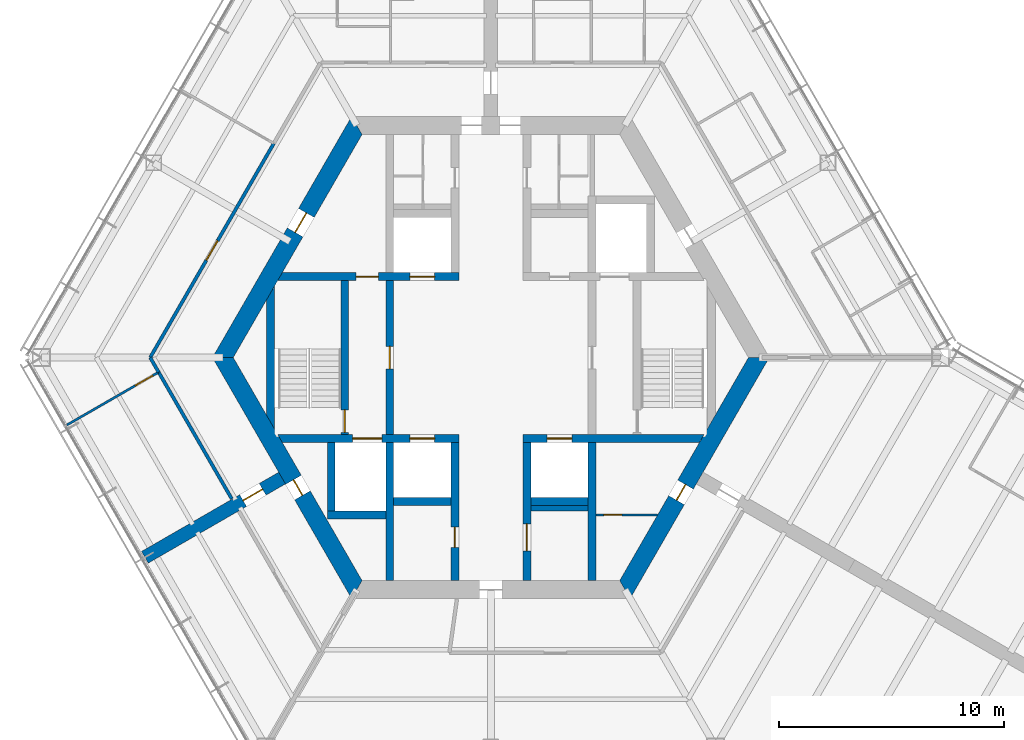
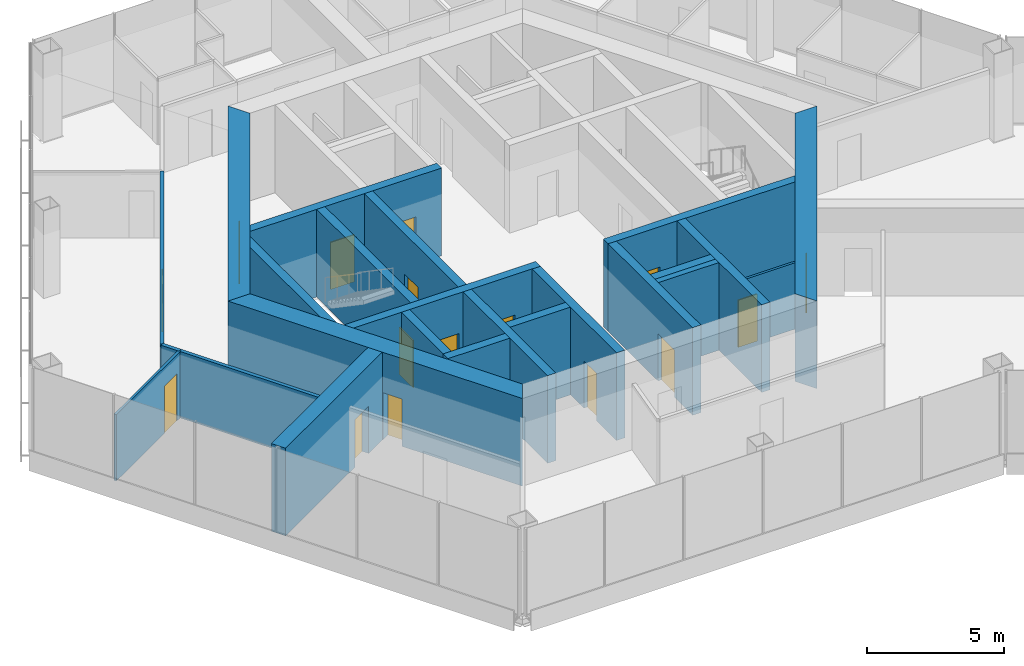
# One storey, part 10 of 14: 24 walls, 16 doors, 16 openings.
"""IFC4 building model written with IfcOpenShell, lengths in metres."""

from ifc_helpers import new_model, si_unit, direction, frame, frame_2d, origin, place, context, subcontext, project, spatial, polyline, rectangle, outline, extrude, material, layer, layer_set, type_object, element, fill, save


model = new_model("IFC4")

# Units and contexts
model_context = context("Model", 3, precision=1e-05, world=origin(), true_north=direction((0.0, 1.0)))
body_context = subcontext(model_context, "Body", "Model", "MODEL_VIEW")
ifc_project = project(units=[si_unit("LENGTHUNIT", "METRE"), si_unit("AREAUNIT", "SQUARE_METRE"), si_unit("VOLUMEUNIT", "CUBIC_METRE"), si_unit("PLANEANGLEUNIT", "RADIAN"), si_unit("MASSUNIT", "GRAM", prefix="KILO")], contexts=[model_context])

# Site, building, storey
site_placement = place(None, origin())
site = spatial("IfcSite", under=ifc_project, at=site_placement, CompositionType="ELEMENT")
building_placement = place(site_placement, origin())
building = spatial("IfcBuilding", under=site, at=building_placement, Name="Kasaneha Research Tower", CompositionType="ELEMENT")
storey_placement = place(building_placement, frame((0.0, 0.0, 216.699951171875)))
storey = spatial("IfcBuildingStorey", under=building, at=storey_placement, Name="L54", CompositionType="ELEMENT", Elevation=216.699951171875)

# Wall, openings, doors
ifc_material_1 = material(Name="Concrete Fc60", Category="concrete")
ifc_layer_1 = layer(ifc_material_1, 0.35009765625)
ifc_layer_set_1 = layer_set([ifc_layer_1], Name="Core internal wall 350 Fc60")
wall_type_1 = type_object("IfcWallType", Name="Core internal wall 350 Fc60", PredefinedType="SHEAR", material=ifc_layer_set_1)
wall_1_placement = place(storey_placement, frame((-9.3818359375, 3.60009765625, 0.0), z_axis=(0.0, 0.0, 1.0), x_axis=(1.0, 0.0, 0.0)))
wall_1 = element("IfcWall", 1, at=wall_1_placement, inside=storey, type_object=wall_type_1, Name="Core wall W1W L54", PredefinedType="SHEAR", context=body_context, shape_type="SweptSolid", body=[
    extrude(outline(polyline([(-0.10107421875, -0.175048828125), (3.3818359375, -0.175048828125), (4.3818359375, -0.175048828125), (5.781982421875, -0.175048828125), (6.882080078125, -0.175048828125), (7.956787109375, -0.175048828125), (7.956787109375, 0.175048828125), (6.882080078125, 0.175048828125), (5.781982421875, 0.175048828125), (4.3818359375, 0.175048828125), (3.3818359375, 0.175048828125), (0.10107421875, 0.175048828125), (-0.10107421875, -0.175048828125)])), origin(), (0.0, 0.0, 1.0), 3.900146484375),
])
opening_1_placement = place(wall_1_placement, frame((3.3818359375, 0.0, 0.0)))
opening_1 = element("IfcOpeningElement", 2, at=opening_1_placement, cuts=wall_1, Name="Opening L54-D12", PredefinedType="OPENING", context=body_context, shape_type="SweptSolid", body=[
    extrude(rectangle(XDim=1.0, YDim=2.10009765625, at=frame_2d((0.5, 1.050048828125))), frame((0.0, 0.18505859375, 0.0), z_axis=(0.0, -1.0, 0.0), x_axis=(1.0, 0.0, 0.0)), (0.0, 0.0, 1.0), 0.3701171875),
])
opening_2_placement = place(wall_1_placement, frame((5.781982421875, 0.0, 0.0)))
opening_2 = element("IfcOpeningElement", 3, at=opening_2_placement, cuts=wall_1, Name="Opening LD-LH2-L54", PredefinedType="OPENING", context=body_context, shape_type="SweptSolid", body=[
    extrude(rectangle(XDim=1.10009765625, YDim=2.10009765625, at=frame_2d((0.550048828125, 1.050048828125))), frame((0.0, 0.18505859375, 0.0), z_axis=(0.0, -1.0, 0.0), x_axis=(1.0, 0.0, 0.0)), (0.0, 0.0, 1.0), 0.3701171875),
])
ifc_material_2 = material(Name="Steel", Category="steel")
door_type_1 = type_object("IfcDoorType", Name="Lift landing door 1100x2100", OperationType="DOUBLE_DOOR_SLIDING", PredefinedType="DOOR", material=ifc_material_2)
door_1_placement = place(opening_2_placement, origin())
door_1 = element("IfcDoor", 4, at=door_1_placement, inside=storey, type_object=door_type_1, Name="Landing door LH2 LD-LH2-L54", OperationType="DOUBLE_DOOR_SLIDING", OverallHeight=2.10009765625, OverallWidth=1.10009765625, PredefinedType="DOOR", context=body_context, shape_type="SweptSolid", body=[
    extrude(rectangle(XDim=1.10009765625, YDim=2.10009765625, at=frame_2d((0.550048828125, 1.050048828125))), frame((0.0, 0.02490234375, 0.0), z_axis=(0.0, -1.0, 0.0), x_axis=(1.0, 0.0, 0.0)), (0.0, 0.0, 1.0), 0.050048828125),
])
fill(opening_2, door_1)
ifc_material_3 = material(Name="Steel", Category="steel")
door_type_2 = type_object("IfcDoorType", Name="Specified fire door FD60 1000x2100", OperationType="NOTDEFINED", PredefinedType="DOOR", material=ifc_material_3)
door_2_placement = place(opening_1_placement, origin())
door_2 = element("IfcDoor", 5, at=door_2_placement, inside=storey, type_object=door_type_2, Name="Vestibule to lobby door L54-D12", OperationType="SINGLE_SWING_LEFT", OverallHeight=2.10009765625, OverallWidth=1.0, PredefinedType="DOOR", context=body_context, shape_type="SweptSolid", body=[
    extrude(rectangle(XDim=1.0, YDim=2.10009765625, at=frame_2d((0.5, 1.050048828125))), frame((0.0, 0.02490234375, 0.0), z_axis=(0.0, -1.0, 0.0), x_axis=(1.0, 0.0, 0.0)), (0.0, 0.0, 1.0), 0.050048828125),
])
fill(opening_1, door_2)

wall_2_placement = place(storey_placement, frame((-9.3818359375, -3.60009765625, 0.0), z_axis=(0.0, 0.0, 1.0), x_axis=(1.0, 0.0, 0.0)))
wall_2 = element("IfcWall", 6, at=wall_2_placement, inside=storey, type_object=wall_type_1, Name="Core wall W2W L54", PredefinedType="SHEAR", context=body_context, shape_type="SweptSolid", body=[
    extrude(outline(polyline([(0.10107421875, -0.175048828125), (3.23193359375, -0.175048828125), (4.531982421875, -0.175048828125), (5.781982421875, -0.175048828125), (6.882080078125, -0.175048828125), (7.956787109375, -0.175048828125), (7.956787109375, 0.175048828125), (6.882080078125, 0.175048828125), (5.781982421875, 0.175048828125), (4.531982421875, 0.175048828125), (3.23193359375, 0.175048828125), (-0.10107421875, 0.175048828125), (0.10107421875, -0.175048828125)])), origin(), (0.0, 0.0, 1.0), 3.900146484375),
])
opening_3_placement = place(wall_2_placement, frame((5.781982421875, 0.0, 0.0)))
opening_3 = element("IfcOpeningElement", 7, at=opening_3_placement, cuts=wall_2, Name="Opening LD-LH1-L54", PredefinedType="OPENING", context=body_context, shape_type="SweptSolid", body=[
    extrude(rectangle(XDim=1.10009765625, YDim=2.10009765625, at=frame_2d((0.550048828125, 1.050048828125))), frame((0.0, 0.18505859375, 0.0), z_axis=(0.0, -1.0, 0.0), x_axis=(1.0, 0.0, 0.0)), (0.0, 0.0, 1.0), 0.3701171875),
])
opening_4_placement = place(wall_2_placement, frame((3.23193359375, 0.0, 0.0)))
opening_4 = element("IfcOpeningElement", 8, at=opening_4_placement, cuts=wall_2, Name="Opening LD-FL2-L54", PredefinedType="OPENING", context=body_context, shape_type="SweptSolid", body=[
    extrude(rectangle(XDim=1.300048828125, YDim=2.10009765625, at=frame_2d((0.64990234375, 1.050048828125))), frame((0.0, 0.18505859375, 0.0), z_axis=(0.0, -1.0, 0.0), x_axis=(1.0, 0.0, 0.0)), (0.0, 0.0, 1.0), 0.3701171875),
])
door_3_placement = place(opening_3_placement, origin())
door_3 = element("IfcDoor", 9, at=door_3_placement, inside=storey, type_object=door_type_1, Name="Landing door LH1 LD-LH1-L54", OperationType="DOUBLE_DOOR_SLIDING", OverallHeight=2.10009765625, OverallWidth=1.10009765625, PredefinedType="DOOR", context=body_context, shape_type="SweptSolid", body=[
    extrude(rectangle(XDim=1.10009765625, YDim=2.10009765625, at=frame_2d((0.550048828125, 1.050048828125))), frame((0.0, 0.02490234375, 0.0), z_axis=(0.0, -1.0, 0.0), x_axis=(1.0, 0.0, 0.0)), (0.0, 0.0, 1.0), 0.050048828125),
])
fill(opening_3, door_3)
ifc_material_4 = material(Name="Steel", Category="steel")
door_type_3 = type_object("IfcDoorType", Name="Lift landing door 1300x2100", OperationType="DOUBLE_DOOR_SLIDING", PredefinedType="DOOR", material=ifc_material_4)
door_4_placement = place(opening_4_placement, origin())
door_4 = element("IfcDoor", 10, at=door_4_placement, inside=storey, type_object=door_type_3, Name="Landing door FL2 LD-FL2-L54", OperationType="DOUBLE_DOOR_SLIDING", OverallHeight=2.10009765625, OverallWidth=1.300048828125, PredefinedType="DOOR", context=body_context, shape_type="SweptSolid", body=[
    extrude(rectangle(XDim=1.300048828125, YDim=2.10009765625, at=frame_2d((0.64990234375, 1.050048828125))), frame((0.0, 0.02490234375, 0.0), z_axis=(0.0, -1.0, 0.0), x_axis=(1.0, 0.0, 0.0)), (0.0, 0.0, 1.0), 0.050048828125),
])
fill(opening_4, door_4)

# Wall, opening, door
wall_3_placement = place(storey_placement, frame((1.425048828125, -3.60009765625, 0.0), z_axis=(0.0, 0.0, 1.0), x_axis=(1.0, 0.0, 0.0)))
wall_3 = element("IfcWall", 11, at=wall_3_placement, inside=storey, type_object=wall_type_1, Name="Core wall W2E L54", PredefinedType="SHEAR", context=body_context, shape_type="SweptSolid", body=[
    extrude(outline(polyline([(0.0, -0.175048828125), (1.074951171875, -0.175048828125), (2.175048828125, -0.175048828125), (7.855712890625, -0.175048828125), (8.057861328125, 0.175048828125), (2.175048828125, 0.175048828125), (1.074951171875, 0.175048828125), (0.0, 0.175048828125), (0.0, -0.175048828125)])), origin(), (0.0, 0.0, 1.0), 3.900146484375),
])
opening_5_placement = place(wall_3_placement, frame((1.074951171875, 0.0, 0.0)))
opening_5 = element("IfcOpeningElement", 12, at=opening_5_placement, cuts=wall_3, Name="Opening LD-LH3-L54", PredefinedType="OPENING", context=body_context, shape_type="SweptSolid", body=[
    extrude(rectangle(XDim=1.10009765625, YDim=2.10009765625, at=frame_2d((0.550048828125, 1.050048828125))), frame((0.0, 0.18505859375, 0.0), z_axis=(0.0, -1.0, 0.0), x_axis=(1.0, 0.0, 0.0)), (0.0, 0.0, 1.0), 0.3701171875),
])
door_5_placement = place(opening_5_placement, origin())
door_5 = element("IfcDoor", 13, at=door_5_placement, inside=storey, type_object=door_type_1, Name="Landing door LH3 LD-LH3-L54", OperationType="DOUBLE_DOOR_SLIDING", OverallHeight=2.10009765625, OverallWidth=1.10009765625, PredefinedType="DOOR", context=body_context, shape_type="SweptSolid", body=[
    extrude(rectangle(XDim=1.10009765625, YDim=2.10009765625, at=frame_2d((0.550048828125, 1.050048828125))), frame((0.0, 0.02490234375, 0.0), z_axis=(0.0, -1.0, 0.0), x_axis=(1.0, 0.0, 0.0)), (0.0, 0.0, 1.0), 0.050048828125),
])
fill(opening_5, door_5)

wall_4_placement = place(storey_placement, frame((-1.60009765625, -3.77490234375, 0.0), z_axis=(0.0, 0.0, 1.0), x_axis=(0.0, -1.0, 0.0)))
wall_4 = element("IfcWall", 14, at=wall_4_placement, inside=storey, type_object=wall_type_1, Name="Core wall CSW L54", PredefinedType="SHEAR", context=body_context, shape_type="SweptSolid", body=[
    extrude(rectangle(XDim=6.150146484375, YDim=0.35009765625, at=frame_2d((3.0751953125, 0.0))), origin(), (0.0, 0.0, 1.0), 3.900146484375),
])
opening_6_placement = place(wall_4_placement, frame((3.77490234375, 0.0, 0.0)))
opening_6 = element("IfcOpeningElement", 15, at=opening_6_placement, cuts=wall_4, Name="Opening L54-D16", PredefinedType="OPENING", context=body_context, shape_type="SweptSolid", body=[
    extrude(rectangle(XDim=0.89990234375, YDim=2.10009765625, at=frame_2d((0.449951171875, 1.050048828125))), frame((0.0, 0.18505859375, 0.0), z_axis=(0.0, -1.0, 0.0), x_axis=(1.0, 0.0, 0.0)), (0.0, 0.0, 1.0), 0.3701171875),
])
ifc_material_5 = material(Name="Steel", Category="steel")
door_type_4 = type_object("IfcDoorType", Name="Riser access door FD60 900x2100", OperationType="NOTDEFINED", PredefinedType="DOOR", material=ifc_material_5)
door_6_placement = place(opening_6_placement, origin())
door_6 = element("IfcDoor", 16, at=door_6_placement, inside=storey, type_object=door_type_4, Name="Electrical riser door L54-D16", OperationType="SINGLE_SWING_LEFT", OverallHeight=2.10009765625, OverallWidth=0.89990234375, PredefinedType="DOOR", context=body_context, shape_type="SweptSolid", body=[
    extrude(rectangle(XDim=0.89990234375, YDim=2.10009765625, at=frame_2d((0.449951171875, 1.050048828125))), frame((0.0, 0.02490234375, 0.0), z_axis=(0.0, -1.0, 0.0), x_axis=(1.0, 0.0, 0.0)), (0.0, 0.0, 1.0), 0.050048828125),
])
fill(opening_6, door_6)

wall_5_placement = place(storey_placement, frame((1.60009765625, -3.77490234375, 0.0), z_axis=(0.0, 0.0, 1.0), x_axis=(0.0, -1.0, 0.0)))
wall_5 = element("IfcWall", 17, at=wall_5_placement, inside=storey, type_object=wall_type_1, Name="Core wall CSE L54", PredefinedType="SHEAR", context=body_context, shape_type="SweptSolid", body=[
    extrude(rectangle(XDim=6.150146484375, YDim=0.35009765625, at=frame_2d((3.0751953125, 0.0))), origin(), (0.0, 0.0, 1.0), 3.900146484375),
])
opening_7_placement = place(wall_5_placement, frame((3.625, 0.0, 0.0)))
opening_7 = element("IfcOpeningElement", 18, at=opening_7_placement, cuts=wall_5, Name="Opening L54-D15", PredefinedType="OPENING", context=body_context, shape_type="SweptSolid", body=[
    extrude(rectangle(XDim=1.199951171875, YDim=2.10009765625, at=frame_2d((0.60009765625, 1.050048828125))), frame((0.0, 0.18505859375, 0.0), z_axis=(0.0, -1.0, 0.0), x_axis=(1.0, 0.0, 0.0)), (0.0, 0.0, 1.0), 0.3701171875),
])
ifc_material_6 = material(Name="Steel", Category="steel")
door_type_5 = type_object("IfcDoorType", Name="Accessible toilet sliding door FD20 1200x2100", OperationType="SLIDING_TO_LEFT", PredefinedType="DOOR", material=ifc_material_6)
door_7_placement = place(opening_7_placement, origin())
door_7 = element("IfcDoor", 19, at=door_7_placement, inside=storey, type_object=door_type_5, Name="Accessible WC door L54-D15", OperationType="SLIDING_TO_LEFT", OverallHeight=2.10009765625, OverallWidth=1.199951171875, PredefinedType="DOOR", context=body_context, shape_type="SweptSolid", body=[
    extrude(rectangle(XDim=1.199951171875, YDim=2.10009765625, at=frame_2d((0.60009765625, 1.050048828125))), frame((0.0, 0.02490234375, 0.0), z_axis=(0.0, -1.0, 0.0), x_axis=(1.0, 0.0, 0.0)), (0.0, 0.0, 1.0), 0.050048828125),
])
fill(opening_7, door_7)

wall_6_placement = place(storey_placement, frame((-4.5, -3.425048828125, 0.0), z_axis=(0.0, 0.0, 1.0), x_axis=(0.0, 1.0, 0.0)))
wall_6 = element("IfcWall", 20, at=wall_6_placement, inside=storey, type_object=wall_type_1, Name="Core wall LBW L54", PredefinedType="SHEAR", context=body_context, shape_type="SweptSolid", body=[
    extrude(rectangle(XDim=6.85009765625, YDim=0.35009765625, at=frame_2d((3.425048828125, 0.0))), origin(), (0.0, 0.0, 1.0), 3.900146484375),
])
opening_8_placement = place(wall_6_placement, frame((2.925048828125, 0.0, 0.0)))
opening_8 = element("IfcOpeningElement", 21, at=opening_8_placement, cuts=wall_6, Name="Opening L54-D09", PredefinedType="OPENING", context=body_context, shape_type="SweptSolid", body=[
    extrude(rectangle(XDim=1.0, YDim=2.10009765625, at=frame_2d((0.5, 1.050048828125))), frame((0.0, 0.18505859375, 0.0), z_axis=(0.0, -1.0, 0.0), x_axis=(1.0, 0.0, 0.0)), (0.0, 0.0, 1.0), 0.3701171875),
])
door_8_placement = place(opening_8_placement, origin())
door_8 = element("IfcDoor", 22, at=door_8_placement, inside=storey, type_object=door_type_2, Name="Lift lobby door west L54-D09", OperationType="SINGLE_SWING_LEFT", OverallHeight=2.10009765625, OverallWidth=1.0, PredefinedType="DOOR", context=body_context, shape_type="SweptSolid", body=[
    extrude(rectangle(XDim=1.0, YDim=2.10009765625, at=frame_2d((0.5, 1.050048828125))), frame((0.0, 0.02490234375, 0.0), z_axis=(0.0, -1.0, 0.0), x_axis=(1.0, 0.0, 0.0)), (0.0, 0.0, 1.0), 0.050048828125),
])
fill(opening_8, door_8)

wall_7_placement = place(storey_placement, frame((-6.5, -3.425048828125, 0.0), z_axis=(0.0, 0.0, 1.0), x_axis=(0.0, 1.0, 0.0)))
wall_7 = element("IfcWall", 23, at=wall_7_placement, inside=storey, type_object=wall_type_1, Name="Core wall ANW L54", PredefinedType="SHEAR", context=body_context, shape_type="SweptSolid", body=[
    extrude(rectangle(XDim=6.85009765625, YDim=0.35009765625, at=frame_2d((3.425048828125, 0.0))), origin(), (0.0, 0.0, 1.0), 3.900146484375),
])
opening_9_placement = place(wall_7_placement, frame((0.10009765625, 0.0, 0.0)))
opening_9 = element("IfcOpeningElement", 24, at=opening_9_placement, cuts=wall_7, Name="Opening L54-D11", PredefinedType="OPENING", context=body_context, shape_type="SweptSolid", body=[
    extrude(rectangle(XDim=1.0, YDim=2.10009765625, at=frame_2d((0.5, 1.050048828125))), frame((0.0, 0.18505859375, 0.0), z_axis=(0.0, -1.0, 0.0), x_axis=(1.0, 0.0, 0.0)), (0.0, 0.0, 1.0), 0.3701171875),
])
door_9_placement = place(opening_9_placement, origin())
door_9 = element("IfcDoor", 25, at=door_9_placement, inside=storey, type_object=door_type_2, Name="Stair 2 door L54-D11", OperationType="SINGLE_SWING_LEFT", OverallHeight=2.10009765625, OverallWidth=1.0, PredefinedType="DOOR", context=body_context, shape_type="SweptSolid", body=[
    extrude(rectangle(XDim=1.0, YDim=2.10009765625, at=frame_2d((0.5, 1.050048828125))), frame((0.0, 0.02490234375, 0.0), z_axis=(0.0, -1.0, 0.0), x_axis=(1.0, 0.0, 0.0)), (0.0, 0.0, 1.0), 0.050048828125),
])
fill(opening_9, door_9)

# Walls
for number, where, z_axis, x_axis, name in (
    (26, (-4.5, -3.77490234375, 0.0), (0.0, 0.0, 1.0), (0.0, -1.0, 0.0), "Core wall SSW L54"),
    (27, (4.5, -3.77490234375, 0.0), (0.0, 0.0, 1.0), (0.0, -1.0, 0.0), "Core wall SSE L54"),
):
    element("IfcWall", number, at=place(storey_placement, frame(where, z_axis=z_axis, x_axis=x_axis)), inside=storey, type_object=wall_type_1, Name=name, PredefinedType="SHEAR", context=body_context, shape_type="SweptSolid", body=[
        extrude(rectangle(XDim=6.150146484375, YDim=0.35009765625, at=frame_2d((3.0751953125, 0.0))), origin(), (0.0, 0.0, 1.0), 3.900146484375),
    ])
for number, where, z_axis, x_axis, name in (
    (28, (-4.324951171875, -6.39990234375, 0.0), (0.0, 0.0, 1.0), (1.0, 0.0, 0.0), "Core wall S1S L54"),
    (29, (1.77490234375, -6.39990234375, 0.0), (0.0, 0.0, 1.0), (1.0, 0.0, 0.0), "Core wall S3S L54"),
):
    element("IfcWall", number, at=place(storey_placement, frame(where, z_axis=z_axis, x_axis=x_axis)), inside=storey, type_object=wall_type_1, Name=name, PredefinedType="SHEAR", context=body_context, shape_type="SweptSolid", body=[
        extrude(rectangle(XDim=2.550048828125, YDim=0.35009765625, at=frame_2d((1.27490234375, 0.0))), origin(), (0.0, 0.0, 1.0), 3.900146484375),
    ])
wall_8_placement = place(storey_placement, frame((-7.27490234375, -7.0, 0.0), z_axis=(0.0, 0.0, 1.0), x_axis=(1.0, 0.0, 0.0)))
element("IfcWall", 30, at=wall_8_placement, inside=storey, type_object=wall_type_1, Name="Core wall F2S L54", PredefinedType="SHEAR", context=body_context, shape_type="SweptSolid", body=[
    extrude(rectangle(XDim=2.599853515625, YDim=0.35009765625, at=frame_2d((1.2998046875, 0.0))), origin(), (0.0, 0.0, 1.0), 3.900146484375),
])
wall_9_placement = place(storey_placement, frame((-7.10009765625, -3.77490234375, 0.0), z_axis=(0.0, 0.0, 1.0), x_axis=(0.0, -1.0, 0.0)))
element("IfcWall", 31, at=wall_9_placement, inside=storey, type_object=wall_type_1, Name="Core wall F2W L54", PredefinedType="SHEAR", context=body_context, shape_type="SweptSolid", body=[
    extrude(rectangle(XDim=3.050048828125, YDim=0.35009765625, at=frame_2d((1.52490234375, 0.0))), origin(), (0.0, 0.0, 1.0), 3.900146484375),
])
wall_10_placement = place(storey_placement, frame((-9.807861328125, -2.8623046875, 0.0), z_axis=(0.0, 0.0, 1.0), x_axis=(0.0, 1.0, 0.0)))
element("IfcWall", 32, at=wall_10_placement, inside=storey, type_object=wall_type_1, Name="Core wall STW L54", PredefinedType="SHEAR", context=body_context, shape_type="SweptSolid", body=[
    extrude(outline(polyline([(-0.30322265625, -0.175048828125), (6.02783203125, -0.175048828125), (5.42138671875, 0.175048828125), (0.30322265625, 0.175048828125), (-0.30322265625, -0.175048828125)])), origin(), (0.0, 0.0, 1.0), 3.900146484375),
])

# Wall, opening, door
ifc_material_7 = material(Name="Concrete Fc60", Category="concrete")
ifc_layer_2 = layer(ifc_material_7, 0.800048828125)
ifc_layer_set_2 = layer_set([ifc_layer_2], Name="Core wall 800 Fc60")
wall_type_2 = type_object("IfcWallType", Name="Core wall 800 Fc60", PredefinedType="SHEAR", material=ifc_layer_set_2)
wall_11_placement = place(storey_placement, frame((-5.961181640625, 10.324951171875, 0.0), z_axis=(0.0, 0.0, 1.0), x_axis=(-0.500004296715, -0.866022923061, 0.0)))
wall_11 = element("IfcWall", 33, at=wall_11_placement, inside=storey, type_object=wall_type_2, Name="Core wall 150 L54", PredefinedType="SHEAR", context=body_context, shape_type="SweptSolid", body=[
    extrude(outline(polyline([(-0.23095703125, -0.39990234375), (4.494140625, -0.39990234375), (5.494140625, -0.39990234375), (12.1533203125, -0.39990234375), (11.69140625, 0.39990234375), (5.494140625, 0.39990234375), (4.494140625, 0.39990234375), (0.23095703125, 0.39990234375), (-0.23095703125, -0.39990234375)])), origin(), (0.0, 0.0, 1.0), 3.900146484375),
])
opening_10_placement = place(wall_11_placement, frame((4.494140625, 0.0, 0.0)))
opening_10 = element("IfcOpeningElement", 34, at=opening_10_placement, cuts=wall_11, Name="Opening L54-D07", PredefinedType="OPENING", context=body_context, shape_type="SweptSolid", body=[
    extrude(rectangle(XDim=1.0, YDim=2.10009765625, at=frame_2d((0.5, 1.050048828125))), frame((0.0, 0.41015625, 0.0), z_axis=(0.0, -1.0, 0.0), x_axis=(1.0, 0.0, 0.0)), (0.0, 0.0, 1.0), 0.820068359375),
])
ifc_material_8 = material(Name="Steel", Category="steel")
door_type_6 = type_object("IfcDoorType", Name="Fire door FD20 1000x2100", OperationType="NOTDEFINED", PredefinedType="DOOR", material=ifc_material_8)
door_10_placement = place(opening_10_placement, origin())
door_10 = element("IfcDoor", 35, at=door_10_placement, inside=storey, type_object=door_type_6, Name="Vestibule door L54-D07", OperationType="SINGLE_SWING_LEFT", OverallHeight=2.10009765625, OverallWidth=1.0, PredefinedType="DOOR", context=body_context, shape_type="SweptSolid", body=[
    extrude(rectangle(XDim=1.0, YDim=2.10009765625, at=frame_2d((0.5, 1.050048828125))), frame((0.0, 0.02490234375, 0.0), z_axis=(0.0, -1.0, 0.0), x_axis=(1.0, 0.0, 0.0)), (0.0, 0.0, 1.0), 0.050048828125),
])
fill(opening_10, door_10)

wall_12_placement = place(storey_placement, frame((-11.92236328125, 0.0, 0.0), z_axis=(0.0, 0.0, 1.0), x_axis=(0.500004296715, -0.866022923061, 0.0)))
wall_12 = element("IfcWall", 36, at=wall_12_placement, inside=storey, type_object=wall_type_2, Name="Core wall 210 L54", PredefinedType="SHEAR", context=body_context, shape_type="SweptSolid", body=[
    extrude(outline(polyline([(-0.23095703125, -0.39990234375), (6.28125, -0.39990234375), (7.081298828125, -0.39990234375), (12.1533203125, -0.39990234375), (11.69140625, 0.39990234375), (7.081298828125, 0.39990234375), (6.28125, 0.39990234375), (0.23095703125, 0.39990234375), (-0.23095703125, -0.39990234375)])), origin(), (0.0, 0.0, 1.0), 3.900146484375),
])
opening_11_placement = place(wall_12_placement, frame((6.28125, 0.0, 0.0)))
opening_11 = element("IfcOpeningElement", 37, at=opening_11_placement, cuts=wall_12, Name="Opening L54-D06", PredefinedType="OPENING", context=body_context, shape_type="SweptSolid", body=[
    extrude(rectangle(XDim=0.800048828125, YDim=2.10009765625, at=frame_2d((0.39990234375, 1.050048828125))), frame((0.0, 0.41015625, 0.0), z_axis=(0.0, -1.0, 0.0), x_axis=(1.0, 0.0, 0.0)), (0.0, 0.0, 1.0), 0.820068359375),
])
ifc_material_9 = material(Name="Steel", Category="steel")
door_type_7 = type_object("IfcDoorType", Name="Riser access door FD60 800x2100", OperationType="NOTDEFINED", PredefinedType="DOOR", material=ifc_material_9)
door_11_placement = place(opening_11_placement, origin())
door_11 = element("IfcDoor", 38, at=door_11_placement, inside=storey, type_object=door_type_7, Name="Duct riser door L54-D06", OperationType="SINGLE_SWING_RIGHT", OverallHeight=2.10009765625, OverallWidth=0.800048828125, PredefinedType="DOOR", context=body_context, shape_type="SweptSolid", body=[
    extrude(rectangle(XDim=0.800048828125, YDim=2.10009765625, at=frame_2d((0.39990234375, 1.050048828125))), frame((0.0, 0.02490234375, 0.0), z_axis=(0.0, -1.0, 0.0), x_axis=(1.0, 0.0, 0.0)), (0.0, 0.0, 1.0), 0.050048828125),
])
fill(opening_11, door_11)

wall_13_placement = place(storey_placement, frame((5.961181640625, -10.324951171875, 0.0), z_axis=(0.0, 0.0, 1.0), x_axis=(0.500004296715, 0.866022923061, 0.0)))
wall_13 = element("IfcWall", 39, at=wall_13_placement, inside=storey, type_object=wall_type_2, Name="Core wall 330 L54", PredefinedType="SHEAR", context=body_context, shape_type="SweptSolid", body=[
    extrude(outline(polyline([(-0.23095703125, -0.39990234375), (4.593994140625, -0.39990234375), (5.39404296875, -0.39990234375), (12.1533203125, -0.39990234375), (11.69140625, 0.39990234375), (5.39404296875, 0.39990234375), (4.593994140625, 0.39990234375), (0.23095703125, 0.39990234375), (-0.23095703125, -0.39990234375)])), origin(), (0.0, 0.0, 1.0), 3.900146484375),
])
opening_12_placement = place(wall_13_placement, frame((4.593994140625, 0.0, 0.0)))
opening_12 = element("IfcOpeningElement", 40, at=opening_12_placement, cuts=wall_13, Name="Opening L54-D05", PredefinedType="OPENING", context=body_context, shape_type="SweptSolid", body=[
    extrude(rectangle(XDim=0.800048828125, YDim=2.10009765625, at=frame_2d((0.39990234375, 1.050048828125))), frame((0.0, 0.41015625, 0.0), z_axis=(0.0, -1.0, 0.0), x_axis=(1.0, 0.0, 0.0)), (0.0, 0.0, 1.0), 0.820068359375),
])
door_12_placement = place(opening_12_placement, origin())
door_12 = element("IfcDoor", 41, at=door_12_placement, inside=storey, type_object=door_type_7, Name="Pipe riser door L54-D05", OperationType="SINGLE_SWING_LEFT", OverallHeight=2.10009765625, OverallWidth=0.800048828125, PredefinedType="DOOR", context=body_context, shape_type="SweptSolid", body=[
    extrude(rectangle(XDim=0.800048828125, YDim=2.10009765625, at=frame_2d((0.39990234375, 1.050048828125))), frame((0.0, 0.02490234375, 0.0), z_axis=(0.0, -1.0, 0.0), x_axis=(1.0, 0.0, 0.0)), (0.0, 0.0, 1.0), 0.050048828125),
])
fill(opening_12, door_12)

ifc_material_10 = material(Name="Gypsum board on steel studs, one layer each side", Category="steel")
ifc_layer_3 = layer(ifc_material_10, 0.10009765625)
ifc_layer_set_3 = layer_set([ifc_layer_3], Name="Office partition 100")
wall_type_3 = type_object("IfcWallType", Name="Office partition 100", PredefinedType="PARTITIONING", material=ifc_layer_set_3)
wall_14_placement = place(storey_placement, frame((4.675048828125, -7.0, 0.0), z_axis=(0.0, 0.0, 1.0), x_axis=(1.0, 0.0, 0.0)))
wall_14 = element("IfcWall", 42, at=wall_14_placement, inside=storey, type_object=wall_type_3, Name="Office partition RS-SE L54", PredefinedType="PARTITIONING", context=body_context, shape_type="SweptSolid", body=[
    extrude(outline(polyline([(0.0, -0.050048828125), (0.35009765625, -0.050048828125), (1.150146484375, -0.050048828125), (2.715087890625, -0.050048828125), (2.743896484375, 0.0), (2.749755859375, 0.050048828125), (1.150146484375, 0.050048828125), (0.35009765625, 0.050048828125), (0.0, 0.050048828125), (0.0, -0.050048828125)])), origin(), (0.0, 0.0, 1.0), 2.949951171875),
])
opening_13_placement = place(wall_14_placement, frame((0.35009765625, 0.0, 0.0)))
opening_13 = element("IfcOpeningElement", 43, at=opening_13_placement, cuts=wall_14, Name="Opening L54-D25", PredefinedType="OPENING", context=body_context, shape_type="SweptSolid", body=[
    extrude(rectangle(XDim=0.800048828125, YDim=2.10009765625, at=frame_2d((0.39990234375, 1.050048828125))), frame((0.0, 0.06005859375, 0.0), z_axis=(0.0, -1.0, 0.0), x_axis=(1.0, 0.0, 0.0)), (0.0, 0.0, 1.0), 0.1201171875),
])
door_13_placement = place(opening_13_placement, origin())
door_13 = element("IfcDoor", 44, at=door_13_placement, inside=storey, type_object=door_type_7, Name="Drainage riser door L54-D25", OperationType="SINGLE_SWING_LEFT", OverallHeight=2.10009765625, OverallWidth=0.800048828125, PredefinedType="DOOR", context=body_context, shape_type="SweptSolid", body=[
    extrude(rectangle(XDim=0.800048828125, YDim=2.10009765625, at=frame_2d((0.39990234375, 1.050048828125))), frame((0.0, 0.02490234375, 0.0), z_axis=(0.0, -1.0, 0.0), x_axis=(1.0, 0.0, 0.0)), (0.0, 0.0, 1.0), 0.050048828125),
])
fill(opening_13, door_13)

wall_15_placement = place(storey_placement, frame((-18.857177734375, -2.99951171875, 0.0), z_axis=(0.0, 0.0, 1.0), x_axis=(0.866504138439, 0.499169888984, 0.0)))
wall_15 = element("IfcWall", 45, at=wall_15_placement, inside=storey, type_object=wall_type_3, Name="Office partition FBN06 L54", PredefinedType="PARTITIONING", context=body_context, shape_type="SweptSolid", body=[
    extrude(rectangle(XDim=4.70556640625, YDim=0.10009765625, at=frame_2d((2.352783203125, 0.0))), origin(), (0.0, 0.0, 1.0), 2.949951171875),
])
opening_14_placement = place(wall_15_placement, frame((3.505615234375, 0.0, 0.0)))
opening_14 = element("IfcOpeningElement", 46, at=opening_14_placement, cuts=wall_15, Name="Opening L54-D39", PredefinedType="OPENING", context=body_context, shape_type="SweptSolid", body=[
    extrude(rectangle(XDim=0.89990234375, YDim=2.10009765625, at=frame_2d((0.449951171875, 1.050048828125))), frame((0.0, 0.06005859375, 0.0), z_axis=(0.0, -1.0, 0.0), x_axis=(1.0, 0.0, 0.0)), (0.0, 0.0, 1.0), 0.1201171875),
])
ifc_material_11 = material(Name="Timber veneer", Category="wood")
door_type_8 = type_object("IfcDoorType", Name="Office door 900x2100", OperationType="SINGLE_SWING_LEFT", PredefinedType="DOOR", material=ifc_material_11)
door_14_placement = place(opening_14_placement, origin())
door_14 = element("IfcDoor", 47, at=door_14_placement, inside=storey, type_object=door_type_8, Name="Reception room door L54-D39", OperationType="SINGLE_SWING_RIGHT", OverallHeight=2.10009765625, OverallWidth=0.89990234375, PredefinedType="DOOR", context=body_context, shape_type="SweptSolid", body=[
    extrude(rectangle(XDim=0.89990234375, YDim=2.10009765625, at=frame_2d((0.449951171875, 1.050048828125))), frame((0.0, 0.02490234375, 0.0), z_axis=(0.0, -1.0, 0.0), x_axis=(1.0, 0.0, 0.0)), (0.0, 0.0, 1.0), 0.050048828125),
])
fill(opening_14, door_14)

ifc_material_12 = material(Name="Concrete Fc60", Category="concrete")
ifc_layer_4 = layer(ifc_material_12, 0.60009765625)
ifc_layer_set_4 = layer_set([ifc_layer_4], Name="Spine wall 600 Fc60")
wall_type_4 = type_object("IfcWallType", Name="Spine wall 600 Fc60", PredefinedType="SHEAR", material=ifc_layer_set_4)
wall_16_placement = place(storey_placement, frame((-9.2880859375, -5.362548828125, 0.0), z_axis=(0.0, 0.0, 1.0), x_axis=(-0.866027473358, -0.499996415376, 0.0)))
wall_16 = element("IfcWall", 48, at=wall_16_placement, inside=storey, type_object=wall_type_4, Name="Spine wall B L54", PredefinedType="SHEAR", context=body_context, shape_type="SweptSolid", body=[
    extrude(rectangle(XDim=7.04541015625, YDim=0.60009765625, at=frame_2d((3.522705078125, 0.0))), origin(), (0.0, 0.0, 1.0), 3.900146484375),
])
opening_15_placement = place(wall_16_placement, frame((1.0, 0.0, 0.0)))
opening_15 = element("IfcOpeningElement", 49, at=opening_15_placement, cuts=wall_16, Name="Opening L54-D19", PredefinedType="OPENING", context=body_context, shape_type="SweptSolid", body=[
    extrude(rectangle(XDim=1.0, YDim=2.10009765625, at=frame_2d((0.5, 1.050048828125))), frame((0.0, 0.31005859375, 0.0), z_axis=(0.0, -1.0, 0.0), x_axis=(1.0, 0.0, 0.0)), (0.0, 0.0, 1.0), 0.6201171875),
])
door_15_placement = place(opening_15_placement, origin())
door_15 = element("IfcDoor", 50, at=door_15_placement, inside=storey, type_object=door_type_2, Name="Spine doorway B L54-D19", OperationType="SINGLE_SWING_LEFT", OverallHeight=2.10009765625, OverallWidth=1.0, PredefinedType="DOOR", context=body_context, shape_type="SweptSolid", body=[
    extrude(rectangle(XDim=1.0, YDim=2.10009765625, at=frame_2d((0.5, 1.050048828125))), frame((0.0, 0.02490234375, 0.0), z_axis=(0.0, -1.0, 0.0), x_axis=(1.0, 0.0, 0.0)), (0.0, 0.0, 1.0), 0.050048828125),
])
fill(opening_15, door_15)

# Wall
ifc_material_13 = material(Name="Gypsum board on steel studs, two layers each side", Category="steel")
ifc_layer_5 = layer(ifc_material_13, 0.14990234375)
ifc_layer_set_5 = layer_set([ifc_layer_5], Name="Suite partition 150")
wall_type_5 = type_object("IfcWallType", Name="Suite partition 150", PredefinedType="PARTITIONING", material=ifc_layer_set_5)
wall_17_placement = place(storey_placement, frame((-11.526611328125, -6.285400390625, 0.0), z_axis=(0.0, 0.0, 1.0), x_axis=(-0.500003537243, 0.866023361547, 0.0)))
element("IfcWall", 51, at=wall_17_placement, inside=storey, type_object=wall_type_5, Name="Suite partition FBN02 L54", PredefinedType="PARTITIONING", context=body_context, shape_type="SweptSolid", body=[
    extrude(rectangle(XDim=6.51611328125, YDim=0.14990234375, at=frame_2d((3.258056640625, 0.0))), origin(), (0.0, 0.0, 1.0), 2.949951171875),
])

# Wall, opening, door
wall_18_placement = place(storey_placement, frame((-15.155517578125, 0.0, 0.0), z_axis=(0.0, 0.0, 1.0), x_axis=(0.500006847747, 0.8660214502, 0.0)))
wall_18 = element("IfcWall", 52, at=wall_18_placement, inside=storey, type_object=wall_type_5, Name="Suite partition FBN03 L54", PredefinedType="PARTITIONING", context=body_context, shape_type="SweptSolid", body=[
    extrude(rectangle(XDim=10.997802734375, YDim=0.14990234375, at=frame_2d((5.4990234375, 0.0))), origin(), (0.0, 0.0, 1.0), 2.949951171875),
])
opening_16_placement = place(wall_18_placement, frame((4.998779296875, 0.0, 0.0)))
opening_16 = element("IfcOpeningElement", 53, at=opening_16_placement, cuts=wall_18, Name="Opening L54-D37", PredefinedType="OPENING", context=body_context, shape_type="SweptSolid", body=[
    extrude(rectangle(XDim=1.0, YDim=2.10009765625, at=frame_2d((0.5, 1.050048828125))), frame((0.0, 0.0849609375, 0.0), z_axis=(0.0, -1.0, 0.0), x_axis=(1.0, 0.0, 0.0)), (0.0, 0.0, 1.0), 0.169921875),
])
ifc_material_14 = material(Name="Steel", Category="steel")
door_type_9 = type_object("IfcDoorType", Name="Suite entrance door FD60 1000x2100", OperationType="NOTDEFINED", PredefinedType="DOOR", material=ifc_material_14)
door_16_placement = place(opening_16_placement, origin())
door_16 = element("IfcDoor", 54, at=door_16_placement, inside=storey, type_object=door_type_9, Name="Suite entrance door L54-D37", OperationType="SINGLE_SWING_RIGHT", OverallHeight=2.10009765625, OverallWidth=1.0, PredefinedType="DOOR", context=body_context, shape_type="SweptSolid", body=[
    extrude(rectangle(XDim=1.0, YDim=2.10009765625, at=frame_2d((0.5, 1.050048828125))), frame((0.0, 0.02490234375, 0.0), z_axis=(0.0, -1.0, 0.0), x_axis=(1.0, 0.0, 0.0)), (0.0, 0.0, 1.0), 0.050048828125),
])
fill(opening_16, door_16)

# Walls
wall_19_placement = place(storey_placement, frame((-14.77978515625, -0.650634765625, 0.0), z_axis=(0.0, 0.0, 1.0), x_axis=(-0.500088105676, 0.865974529972, 0.0)))
element("IfcWall", 55, at=wall_19_placement, inside=storey, type_object=wall_type_5, Name="Suite partition FBN04 L54", PredefinedType="PARTITIONING", context=body_context, shape_type="SweptSolid", body=[
    extrude(rectangle(XDim=0.751220703125, YDim=0.14990234375, at=frame_2d((0.37548828125, 0.0))), origin(), (0.0, 0.0, 1.0), 2.949951171875),
])
ifc_material_15 = material(Name="Concrete block lining", Category="concrete")
ifc_layer_6 = layer(ifc_material_15, 0.25)
ifc_layer_set_6 = layer_set([ifc_layer_6], Name="WC plumbing wall 250")
wall_type_6 = type_object("IfcWallType", Name="WC plumbing wall 250", PredefinedType="PLUMBINGWALL", material=ifc_layer_set_6)
wall_20_placement = place(storey_placement, frame((1.77490234375, -6.699951171875, 0.0), z_axis=(0.0, 0.0, 1.0), x_axis=(1.0, 0.0, 0.0)))
element("IfcWall", 56, at=wall_20_placement, inside=storey, type_object=wall_type_6, Name="WC plumbing wall A L54", PredefinedType="PLUMBINGWALL", context=body_context, shape_type="SweptSolid", body=[
    extrude(rectangle(XDim=2.550048828125, YDim=0.25, at=frame_2d((1.27490234375, 0.0))), origin(), (0.0, 0.0, 1.0), 3.900146484375),
])

save(model, "model.ifc")
